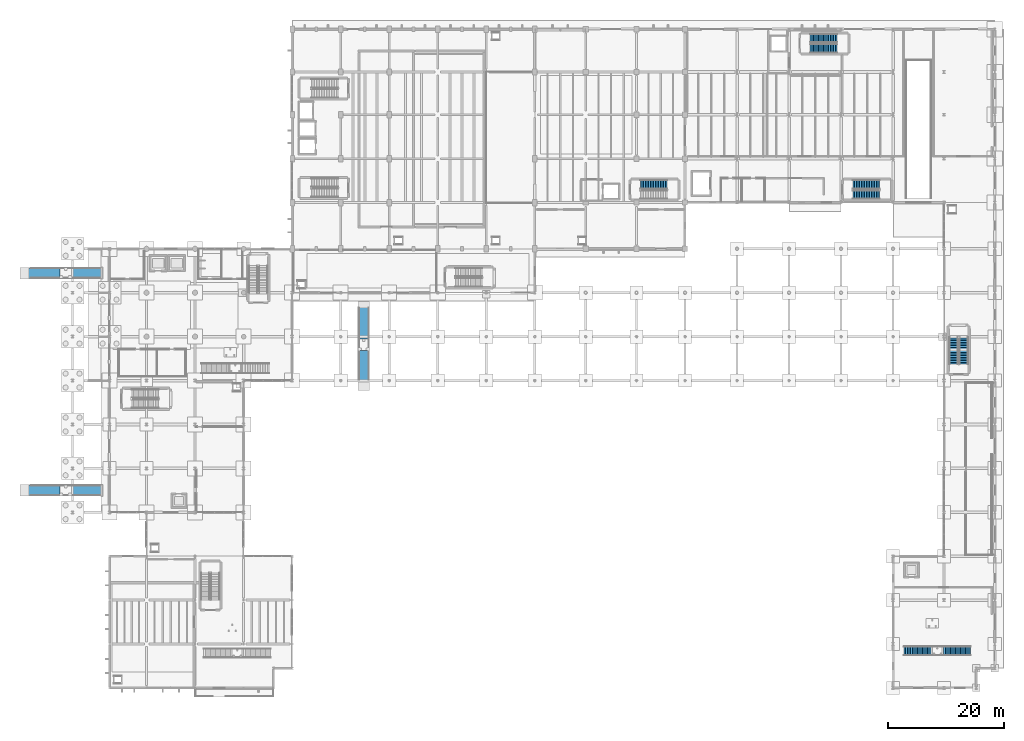
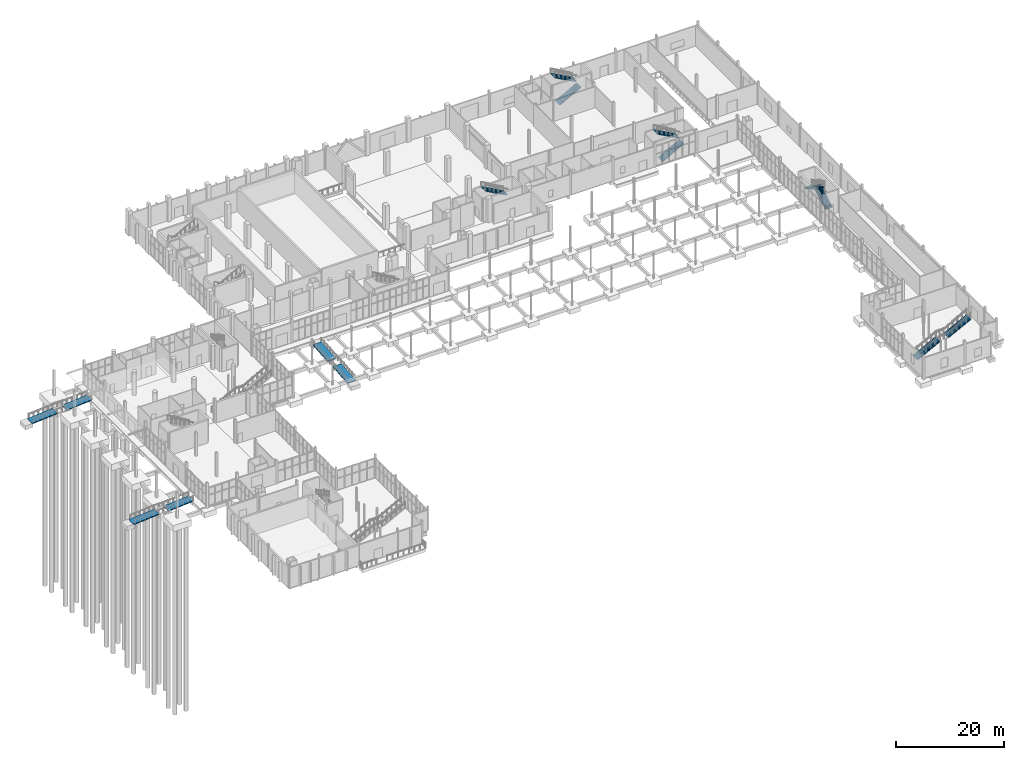
# One storey, part 82 of 95: 9 stair flights, 6 ramp flights, 8 elements without a shape of their own.
"""IFC4 building model written with IfcOpenShell, lengths in metres."""

from ifc_helpers import new_model, si_unit, direction, frame, origin, place, context, subcontext, project, spatial, polyline, outline, extrude, material, layer, layer_set, type_object, element, aggregate, save


model = new_model("IFC4")

# Units and contexts
model_context = context("Model", 3, precision=1e-05, world=origin(), true_north=direction((0.0, 1.0)))
body_context = subcontext(model_context, "Body", "Model", "MODEL_VIEW")
ifc_project = project(units=[si_unit("LENGTHUNIT", "METRE"), si_unit("AREAUNIT", "SQUARE_METRE"), si_unit("VOLUMEUNIT", "CUBIC_METRE"), si_unit("PLANEANGLEUNIT", "RADIAN"), si_unit("MASSUNIT", "GRAM", prefix="KILO")], contexts=[model_context])

# Site, building, storey
site_placement = place(None, origin())
site = spatial("IfcSite", under=ifc_project, at=site_placement, CompositionType="ELEMENT")
building_placement = place(site_placement, origin())
building = spatial("IfcBuilding", under=site, at=building_placement, Name="Shengluoqiao Park Theatre", CompositionType="ELEMENT")
storey_placement = place(building_placement, origin())
storey = spatial("IfcBuildingStorey", under=building, at=storey_placement, Name="L00", CompositionType="ELEMENT", Elevation=0.0)

# Stair, stair flight
ifc_material_1 = material(Name="Concrete C40", Category="concrete")
stair_type_1 = type_object("IfcStairType", Name="INT-STR-CORE", PredefinedType="HALF_TURN_STAIR", material=ifc_material_1)
stair_1_placement = place(storey_placement, origin())
stair_1 = element("IfcStair", 1, at=stair_1_placement, inside=storey, type_object=stair_type_1, Name="L00 Stage and Fly Tower Escape Stair 05", PredefinedType="HALF_TURN_STAIR")
ifc_layer_1 = layer(ifc_material_1, 0.159912109375, Name="Concrete C40")
ifc_layer_set_1 = layer_set([ifc_layer_1], Name="Concrete C40")
stair_flight_type_1 = type_object("IfcStairFlightType", Name="INT-SFL-156", PredefinedType="STRAIGHT", material=ifc_layer_set_1)
stair_flight_1_placement = place(storey_placement, frame((109.2900390625, 87.1201171875, 2.699951171875), z_axis=(0.0, 0.0, 1.0), x_axis=(-1.0, 0.0, 0.0)))
stair_flight_1 = element("IfcStairFlight", 2, at=stair_flight_1_placement, type_object=stair_flight_type_1, Name="ST-05 flight 2", NumberOfRisers=17, NumberOfTreads=16, PredefinedType="STRAIGHT", RiserHeight=0.158823529, TreadLength=0.29, context=body_context, shape_type="SweptSolid", body=[
    extrude(outline(polyline([(0.0, 0.0), (0.0, 0.158935546875), (0.2900390625, 0.158935546875), (0.2900390625, 0.317626953125), (0.580078125, 0.317626953125), (0.580078125, 0.4765625), (0.8701171875, 0.4765625), (0.8701171875, 0.63525390625), (1.159912109375, 0.63525390625), (1.159912109375, 0.794189453125), (1.449951171875, 0.794189453125), (1.449951171875, 0.952880859375), (1.739990234375, 0.952880859375), (1.739990234375, 1.11181640625), (2.030029296875, 1.11181640625), (2.030029296875, 1.2705078125), (2.320068359375, 1.2705078125), (2.320068359375, 1.429443359375), (2.610107421875, 1.429443359375), (2.610107421875, 1.588134765625), (2.89990234375, 1.588134765625), (2.89990234375, 1.7470703125), (3.18994140625, 1.7470703125), (3.18994140625, 1.90576171875), (3.47998046875, 1.90576171875), (3.47998046875, 2.064697265625), (3.77001953125, 2.064697265625), (3.77001953125, 2.2236328125), (4.06005859375, 2.2236328125), (4.06005859375, 2.38232421875), (4.35009765625, 2.38232421875), (4.35009765625, 2.541259765625), (4.639892578125, 2.541259765625), (4.639892578125, 2.699951171875), (4.639892578125, 2.370361328125), (0.31201171875, 0.0), (0.0, 0.0)])), frame((0.0, 0.780029296875, 0.0), z_axis=(0.0, -1.0, 0.0), x_axis=(1.0, 0.0, 0.0)), (0.0, 0.0, 1.0), 1.56005859375),
])
aggregate(stair_1, [stair_flight_1])

# Stair, stair flights
stair_2_placement = place(storey_placement, origin())
stair_2 = element("IfcStair", 3, at=stair_2_placement, inside=storey, type_object=stair_type_1, Name="L00 Backstage and Workshop Escape Stair 06", PredefinedType="HALF_TURN_STAIR")
stair_flight_2_placement = place(storey_placement, frame((134.050048828125, 110.679931640625, 0.0), z_axis=(0.0, 0.0, 1.0), x_axis=(1.0, 0.0, 0.0)))
stair_flight_2 = element("IfcStairFlight", 4, at=stair_flight_2_placement, type_object=stair_flight_type_1, Name="ST-06 flight 1", NumberOfRisers=17, NumberOfTreads=16, PredefinedType="STRAIGHT", RiserHeight=0.158823529, TreadLength=0.29, context=body_context, shape_type="SweptSolid", body=[
    extrude(outline(polyline([(0.0, 0.0), (0.0, 0.158935546875), (0.2900390625, 0.158935546875), (0.2900390625, 0.317626953125), (0.580078125, 0.317626953125), (0.580078125, 0.4765625), (0.8701171875, 0.4765625), (0.8701171875, 0.63525390625), (1.159912109375, 0.63525390625), (1.159912109375, 0.794189453125), (1.449951171875, 0.794189453125), (1.449951171875, 0.952880859375), (1.739990234375, 0.952880859375), (1.739990234375, 1.11181640625), (2.030029296875, 1.11181640625), (2.030029296875, 1.2705078125), (2.320068359375, 1.2705078125), (2.320068359375, 1.429443359375), (2.610107421875, 1.429443359375), (2.610107421875, 1.588134765625), (2.89990234375, 1.588134765625), (2.89990234375, 1.7470703125), (3.18994140625, 1.7470703125), (3.18994140625, 1.90576171875), (3.47998046875, 1.90576171875), (3.47998046875, 2.064697265625), (3.77001953125, 2.064697265625), (3.77001953125, 2.2236328125), (4.06005859375, 2.2236328125), (4.06005859375, 2.38232421875), (4.35009765625, 2.38232421875), (4.35009765625, 2.541259765625), (4.639892578125, 2.541259765625), (4.639892578125, 2.699951171875), (4.639892578125, 2.370361328125), (0.31201171875, 0.0), (0.0, 0.0)])), frame((0.0, 0.780029296875, 0.0), z_axis=(0.0, -1.0, 0.0), x_axis=(1.0, 0.0, 0.0)), (0.0, 0.0, 1.0), 1.56005859375),
])
stair_flight_3_placement = place(storey_placement, frame((138.68994140625, 112.419921875, 2.699951171875), z_axis=(0.0, 0.0, 1.0), x_axis=(-1.0, 0.0, 0.0)))
stair_flight_3 = element("IfcStairFlight", 5, at=stair_flight_3_placement, type_object=stair_flight_type_1, Name="ST-06 flight 2", NumberOfRisers=17, NumberOfTreads=16, PredefinedType="STRAIGHT", RiserHeight=0.158823529, TreadLength=0.29, context=body_context, shape_type="SweptSolid", body=[
    extrude(outline(polyline([(0.0, 0.0), (0.0, 0.158935546875), (0.2900390625, 0.158935546875), (0.2900390625, 0.317626953125), (0.580078125, 0.317626953125), (0.580078125, 0.4765625), (0.8701171875, 0.4765625), (0.8701171875, 0.63525390625), (1.159912109375, 0.63525390625), (1.159912109375, 0.794189453125), (1.449951171875, 0.794189453125), (1.449951171875, 0.952880859375), (1.739990234375, 0.952880859375), (1.739990234375, 1.11181640625), (2.030029296875, 1.11181640625), (2.030029296875, 1.2705078125), (2.320068359375, 1.2705078125), (2.320068359375, 1.429443359375), (2.610107421875, 1.429443359375), (2.610107421875, 1.588134765625), (2.89990234375, 1.588134765625), (2.89990234375, 1.7470703125), (3.18994140625, 1.7470703125), (3.18994140625, 1.90576171875), (3.47998046875, 1.90576171875), (3.47998046875, 2.064697265625), (3.77001953125, 2.064697265625), (3.77001953125, 2.2236328125), (4.06005859375, 2.2236328125), (4.06005859375, 2.38232421875), (4.35009765625, 2.38232421875), (4.35009765625, 2.541259765625), (4.639892578125, 2.541259765625), (4.639892578125, 2.699951171875), (4.639892578125, 2.370361328125), (0.31201171875, 0.0), (0.0, 0.0)])), frame((0.0, 0.780029296875, 0.0), z_axis=(0.0, -1.0, 0.0), x_axis=(1.0, 0.0, 0.0)), (0.0, 0.0, 1.0), 1.56005859375),
])
aggregate(stair_2, [stair_flight_2, stair_flight_3])

stair_3_placement = place(storey_placement, origin())
stair_3 = element("IfcStair", 6, at=stair_3_placement, inside=storey, type_object=stair_type_1, Name="L00 Upper Backstage Escape Stair 10", PredefinedType="HALF_TURN_STAIR")
stair_flight_4_placement = place(storey_placement, frame((141.449951171875, 85.3798828125, 0.0), z_axis=(0.0, 0.0, 1.0), x_axis=(1.0, 0.0, 0.0)))
stair_flight_4 = element("IfcStairFlight", 7, at=stair_flight_4_placement, type_object=stair_flight_type_1, Name="ST-10 flight 1", NumberOfRisers=17, NumberOfTreads=16, PredefinedType="STRAIGHT", RiserHeight=0.158823529, TreadLength=0.29, context=body_context, shape_type="SweptSolid", body=[
    extrude(outline(polyline([(0.0, 0.0), (0.0, 0.158935546875), (0.2900390625, 0.158935546875), (0.2900390625, 0.317626953125), (0.580078125, 0.317626953125), (0.580078125, 0.4765625), (0.8701171875, 0.4765625), (0.8701171875, 0.63525390625), (1.159912109375, 0.63525390625), (1.159912109375, 0.794189453125), (1.449951171875, 0.794189453125), (1.449951171875, 0.952880859375), (1.739990234375, 0.952880859375), (1.739990234375, 1.11181640625), (2.030029296875, 1.11181640625), (2.030029296875, 1.2705078125), (2.320068359375, 1.2705078125), (2.320068359375, 1.429443359375), (2.610107421875, 1.429443359375), (2.610107421875, 1.588134765625), (2.89990234375, 1.588134765625), (2.89990234375, 1.7470703125), (3.18994140625, 1.7470703125), (3.18994140625, 1.90576171875), (3.47998046875, 1.90576171875), (3.47998046875, 2.064697265625), (3.77001953125, 2.064697265625), (3.77001953125, 2.2236328125), (4.06005859375, 2.2236328125), (4.06005859375, 2.38232421875), (4.35009765625, 2.38232421875), (4.35009765625, 2.541259765625), (4.639892578125, 2.541259765625), (4.639892578125, 2.699951171875), (4.639892578125, 2.370361328125), (0.31201171875, 0.0), (0.0, 0.0)])), frame((0.0, 0.780029296875, 0.0), z_axis=(0.0, -1.0, 0.0), x_axis=(1.0, 0.0, 0.0)), (0.0, 0.0, 1.0), 1.56005859375),
])
stair_flight_5_placement = place(storey_placement, frame((146.090087890625, 87.1201171875, 2.699951171875), z_axis=(0.0, 0.0, 1.0), x_axis=(-1.0, 0.0, 0.0)))
stair_flight_5 = element("IfcStairFlight", 8, at=stair_flight_5_placement, type_object=stair_flight_type_1, Name="ST-10 flight 2", NumberOfRisers=17, NumberOfTreads=16, PredefinedType="STRAIGHT", RiserHeight=0.158823529, TreadLength=0.29, context=body_context, shape_type="SweptSolid", body=[
    extrude(outline(polyline([(0.0, 0.0), (0.0, 0.158935546875), (0.2900390625, 0.158935546875), (0.2900390625, 0.317626953125), (0.580078125, 0.317626953125), (0.580078125, 0.4765625), (0.8701171875, 0.4765625), (0.8701171875, 0.63525390625), (1.159912109375, 0.63525390625), (1.159912109375, 0.794189453125), (1.449951171875, 0.794189453125), (1.449951171875, 0.952880859375), (1.739990234375, 0.952880859375), (1.739990234375, 1.11181640625), (2.030029296875, 1.11181640625), (2.030029296875, 1.2705078125), (2.320068359375, 1.2705078125), (2.320068359375, 1.429443359375), (2.610107421875, 1.429443359375), (2.610107421875, 1.588134765625), (2.89990234375, 1.588134765625), (2.89990234375, 1.7470703125), (3.18994140625, 1.7470703125), (3.18994140625, 1.90576171875), (3.47998046875, 1.90576171875), (3.47998046875, 2.064697265625), (3.77001953125, 2.064697265625), (3.77001953125, 2.2236328125), (4.06005859375, 2.2236328125), (4.06005859375, 2.38232421875), (4.35009765625, 2.38232421875), (4.35009765625, 2.541259765625), (4.639892578125, 2.541259765625), (4.639892578125, 2.699951171875), (4.639892578125, 2.370361328125), (0.31201171875, 0.0), (0.0, 0.0)])), frame((0.0, 0.780029296875, 0.0), z_axis=(0.0, -1.0, 0.0), x_axis=(1.0, 0.0, 0.0)), (0.0, 0.0, 1.0), 1.56005859375),
])
aggregate(stair_3, [stair_flight_4, stair_flight_5])

stair_4_placement = place(storey_placement, origin())
stair_4 = element("IfcStair", 9, at=stair_4_placement, inside=storey, type_object=stair_type_1, Name="L00 East Artist Wing Escape Stair 12", PredefinedType="HALF_TURN_STAIR")
stair_flight_6_placement = place(storey_placement, frame((160.6201171875, 56.050048828125, 0.0), z_axis=(0.0, 0.0, 1.0), x_axis=(0.0, 1.0, 0.0)))
stair_flight_6 = element("IfcStairFlight", 10, at=stair_flight_6_placement, type_object=stair_flight_type_1, Name="ST-12 flight 1", NumberOfRisers=17, NumberOfTreads=16, PredefinedType="STRAIGHT", RiserHeight=0.158823529, TreadLength=0.29, context=body_context, shape_type="SweptSolid", body=[
    extrude(outline(polyline([(0.0, 0.0), (0.0, 0.158935546875), (0.2900390625, 0.158935546875), (0.2900390625, 0.317626953125), (0.580078125, 0.317626953125), (0.580078125, 0.4765625), (0.8701171875, 0.4765625), (0.8701171875, 0.63525390625), (1.159912109375, 0.63525390625), (1.159912109375, 0.794189453125), (1.449951171875, 0.794189453125), (1.449951171875, 0.952880859375), (1.739990234375, 0.952880859375), (1.739990234375, 1.11181640625), (2.030029296875, 1.11181640625), (2.030029296875, 1.2705078125), (2.320068359375, 1.2705078125), (2.320068359375, 1.429443359375), (2.610107421875, 1.429443359375), (2.610107421875, 1.588134765625), (2.89990234375, 1.588134765625), (2.89990234375, 1.7470703125), (3.18994140625, 1.7470703125), (3.18994140625, 1.90576171875), (3.47998046875, 1.90576171875), (3.47998046875, 2.064697265625), (3.77001953125, 2.064697265625), (3.77001953125, 2.2236328125), (4.06005859375, 2.2236328125), (4.06005859375, 2.38232421875), (4.35009765625, 2.38232421875), (4.35009765625, 2.541259765625), (4.639892578125, 2.541259765625), (4.639892578125, 2.699951171875), (4.639892578125, 2.370361328125), (0.31201171875, 0.0), (0.0, 0.0)])), frame((0.0, 0.780029296875, 0.0), z_axis=(0.0, -1.0, 0.0), x_axis=(1.0, 0.0, 0.0)), (0.0, 0.0, 1.0), 1.56005859375),
])
stair_flight_7_placement = place(storey_placement, frame((158.8798828125, 60.68994140625, 2.699951171875), z_axis=(0.0, 0.0, 1.0), x_axis=(0.0, -1.0, 0.0)))
stair_flight_7 = element("IfcStairFlight", 11, at=stair_flight_7_placement, type_object=stair_flight_type_1, Name="ST-12 flight 2", NumberOfRisers=17, NumberOfTreads=16, PredefinedType="STRAIGHT", RiserHeight=0.158823529, TreadLength=0.29, context=body_context, shape_type="SweptSolid", body=[
    extrude(outline(polyline([(0.0, 0.0), (0.0, 0.158935546875), (0.2900390625, 0.158935546875), (0.2900390625, 0.317626953125), (0.580078125, 0.317626953125), (0.580078125, 0.4765625), (0.8701171875, 0.4765625), (0.8701171875, 0.63525390625), (1.159912109375, 0.63525390625), (1.159912109375, 0.794189453125), (1.449951171875, 0.794189453125), (1.449951171875, 0.952880859375), (1.739990234375, 0.952880859375), (1.739990234375, 1.11181640625), (2.030029296875, 1.11181640625), (2.030029296875, 1.2705078125), (2.320068359375, 1.2705078125), (2.320068359375, 1.429443359375), (2.610107421875, 1.429443359375), (2.610107421875, 1.588134765625), (2.89990234375, 1.588134765625), (2.89990234375, 1.7470703125), (3.18994140625, 1.7470703125), (3.18994140625, 1.90576171875), (3.47998046875, 1.90576171875), (3.47998046875, 2.064697265625), (3.77001953125, 2.064697265625), (3.77001953125, 2.2236328125), (4.06005859375, 2.2236328125), (4.06005859375, 2.38232421875), (4.35009765625, 2.38232421875), (4.35009765625, 2.541259765625), (4.639892578125, 2.541259765625), (4.639892578125, 2.699951171875), (4.639892578125, 2.370361328125), (0.31201171875, 0.0), (0.0, 0.0)])), frame((0.0, 0.780029296875, 0.0), z_axis=(0.0, -1.0, 0.0), x_axis=(1.0, 0.0, 0.0)), (0.0, 0.0, 1.0), 1.56005859375),
])
aggregate(stair_4, [stair_flight_6, stair_flight_7])

ifc_material_2 = material(Name="Steel Q355", Category="steel")
stair_type_2 = type_object("IfcStairType", Name="INT-STR-ST-F160", PredefinedType="STRAIGHT_RUN_STAIR", material=ifc_material_2)
stair_5_placement = place(storey_placement, origin())
stair_5 = element("IfcStair", 12, at=stair_5_placement, inside=storey, type_object=stair_type_2, Name="East Artist Wing Stair 09", PredefinedType="STRAIGHT_RUN_STAIR")
ifc_layer_2 = layer(ifc_material_2, 0.159912109375, Name="Steel Q355")
ifc_layer_set_2 = layer_set([ifc_layer_2], Name="Steel Q355")
stair_flight_type_2 = type_object("IfcStairFlightType", Name="INT-SFL-160", PredefinedType="STRAIGHT", material=ifc_layer_set_2)
stair_flight_8_placement = place(storey_placement, frame((150.300048828125, 6.39990234375, 0.0), z_axis=(0.0, 0.0, 1.0), x_axis=(1.0, 0.0, 0.0)))
stair_flight_8 = element("IfcStairFlight", 13, at=stair_flight_8_placement, type_object=stair_flight_type_2, Name="ST-09 flight 1", NumberOfRisers=18, NumberOfTreads=17, PredefinedType="STRAIGHT", RiserHeight=0.15, TreadLength=0.29, context=body_context, shape_type="SweptSolid", body=[
    extrude(outline(polyline([(0.0, 0.0), (0.0, 0.14990234375), (0.2900390625, 0.14990234375), (0.2900390625, 0.300048828125), (0.580078125, 0.300048828125), (0.580078125, 0.449951171875), (0.8701171875, 0.449951171875), (0.8701171875, 0.60009765625), (1.159912109375, 0.60009765625), (1.159912109375, 0.75), (1.449951171875, 0.75), (1.449951171875, 0.89990234375), (1.739990234375, 0.89990234375), (1.739990234375, 1.050048828125), (2.030029296875, 1.050048828125), (2.030029296875, 1.199951171875), (2.320068359375, 1.199951171875), (2.320068359375, 1.35009765625), (2.610107421875, 1.35009765625), (2.610107421875, 1.5), (2.89990234375, 1.5), (2.89990234375, 1.64990234375), (3.18994140625, 1.64990234375), (3.18994140625, 1.800048828125), (3.47998046875, 1.800048828125), (3.47998046875, 1.949951171875), (3.77001953125, 1.949951171875), (3.77001953125, 2.10009765625), (4.06005859375, 2.10009765625), (4.06005859375, 2.25), (4.35009765625, 2.25), (4.35009765625, 2.39990234375), (4.639892578125, 2.39990234375), (4.639892578125, 2.550048828125), (4.929931640625, 2.550048828125), (4.929931640625, 2.699951171875), (4.929931640625, 2.358642578125), (0.369873046875, 0.0), (0.0, 0.0)])), frame((0.0, 0.800048828125, 0.0), z_axis=(0.0, -1.0, 0.0), x_axis=(1.0, 0.0, 0.0)), (0.0, 0.0, 1.0), 1.60009765625),
])
stair_flight_9_placement = place(storey_placement, frame((156.8798828125, 6.39990234375, 2.699951171875), z_axis=(0.0, 0.0, 1.0), x_axis=(1.0, 0.0, 0.0)))
stair_flight_9 = element("IfcStairFlight", 14, at=stair_flight_9_placement, type_object=stair_flight_type_2, Name="ST-09 flight 2", NumberOfRisers=18, NumberOfTreads=17, PredefinedType="STRAIGHT", RiserHeight=0.15, TreadLength=0.29, context=body_context, shape_type="SweptSolid", body=[
    extrude(outline(polyline([(0.0, 0.0), (0.0, 0.14990234375), (0.2900390625, 0.14990234375), (0.2900390625, 0.300048828125), (0.580078125, 0.300048828125), (0.580078125, 0.449951171875), (0.8701171875, 0.449951171875), (0.8701171875, 0.60009765625), (1.159912109375, 0.60009765625), (1.159912109375, 0.75), (1.449951171875, 0.75), (1.449951171875, 0.89990234375), (1.739990234375, 0.89990234375), (1.739990234375, 1.050048828125), (2.030029296875, 1.050048828125), (2.030029296875, 1.199951171875), (2.320068359375, 1.199951171875), (2.320068359375, 1.35009765625), (2.610107421875, 1.35009765625), (2.610107421875, 1.5), (2.89990234375, 1.5), (2.89990234375, 1.64990234375), (3.18994140625, 1.64990234375), (3.18994140625, 1.800048828125), (3.47998046875, 1.800048828125), (3.47998046875, 1.949951171875), (3.77001953125, 1.949951171875), (3.77001953125, 2.10009765625), (4.06005859375, 2.10009765625), (4.06005859375, 2.25), (4.35009765625, 2.25), (4.35009765625, 2.39990234375), (4.639892578125, 2.39990234375), (4.639892578125, 2.550048828125), (4.929931640625, 2.550048828125), (4.929931640625, 2.699951171875), (4.929931640625, 2.358642578125), (0.369873046875, 0.0), (0.0, 0.0)])), frame((0.0, 0.800048828125, 0.0), z_axis=(0.0, -1.0, 0.0), x_axis=(1.0, 0.0, 0.0)), (0.0, 0.0, 1.0), 1.60009765625),
])
aggregate(stair_5, [stair_flight_8, stair_flight_9])

# Ramp, ramp flights
ramp_type = type_object("IfcRampType", Name="ENV-RMP-PED", PredefinedType="TWO_STRAIGHT_RUN_RAMP", material=ifc_material_1)
ramp_1_placement = place(storey_placement, origin())
ramp_1 = element("IfcRamp", 15, at=ramp_1_placement, inside=storey, type_object=ramp_type, Name="West Forecourt Wheelchair Ramp 01", PredefinedType="TWO_STRAIGHT_RUN_RAMP")
ifc_layer_3 = layer(ifc_material_1, 0.219970703125, Name="Concrete C40")
ifc_layer_set_3 = layer_set([ifc_layer_3], Name="Concrete C40")
ramp_flight_type = type_object("IfcRampFlightType", Name="ENV-RMF-180", PredefinedType="STRAIGHT", material=ifc_layer_set_3)
ramp_flight_1_placement = place(storey_placement, frame((-1.199951171875, 71.800048828125, -0.89990234375), z_axis=(0.0, 0.0, 1.0), x_axis=(1.0, 0.0, 0.0)))
ramp_flight_1 = element("IfcRampFlight", 16, at=ramp_flight_1_placement, type_object=ramp_flight_type, Name="RMP-01 Lower Flight", PredefinedType="STRAIGHT", context=body_context, shape_type="SweptSolid", body=[
    extrude(outline(polyline([(0.0, 0.0), (5.39990234375, 0.449951171875), (5.39990234375, 0.22998046875), (0.0, -0.219970703125), (0.0, 0.0)])), frame((0.0, 0.89990234375, 0.0), z_axis=(0.0, -1.0, 0.0), x_axis=(1.0, 0.0, 0.0)), (0.0, 0.0, 1.0), 1.800048828125),
])
ramp_flight_2_placement = place(storey_placement, frame((6.199951171875, 71.800048828125, -0.449951171875), z_axis=(0.0, 0.0, 1.0), x_axis=(1.0, 0.0, 0.0)))
ramp_flight_2 = element("IfcRampFlight", 17, at=ramp_flight_2_placement, type_object=ramp_flight_type, Name="RMP-01 Upper Flight", PredefinedType="STRAIGHT", context=body_context, shape_type="SweptSolid", body=[
    extrude(outline(polyline([(0.0, 0.0), (5.39990234375, 0.449951171875), (5.39990234375, 0.22998046875), (0.0, -0.219970703125), (0.0, 0.0)])), frame((0.0, 0.89990234375, 0.0), z_axis=(0.0, -1.0, 0.0), x_axis=(1.0, 0.0, 0.0)), (0.0, 0.0, 1.0), 1.800048828125),
])
aggregate(ramp_1, [ramp_flight_1, ramp_flight_2])

ramp_2_placement = place(storey_placement, origin())
ramp_2 = element("IfcRamp", 18, at=ramp_2_placement, inside=storey, type_object=ramp_type, Name="Studio Forecourt Wheelchair Ramp 02", PredefinedType="TWO_STRAIGHT_RUN_RAMP")
ramp_flight_3_placement = place(storey_placement, frame((-1.199951171875, 34.199951171875, -0.89990234375), z_axis=(0.0, 0.0, 1.0), x_axis=(1.0, 0.0, 0.0)))
ramp_flight_3 = element("IfcRampFlight", 19, at=ramp_flight_3_placement, type_object=ramp_flight_type, Name="RMP-02 Lower Flight", PredefinedType="STRAIGHT", context=body_context, shape_type="SweptSolid", body=[
    extrude(outline(polyline([(0.0, 0.0), (5.39990234375, 0.449951171875), (5.39990234375, 0.22998046875), (0.0, -0.219970703125), (0.0, 0.0)])), frame((0.0, 0.89990234375, 0.0), z_axis=(0.0, -1.0, 0.0), x_axis=(1.0, 0.0, 0.0)), (0.0, 0.0, 1.0), 1.800048828125),
])
ramp_flight_4_placement = place(storey_placement, frame((6.199951171875, 34.199951171875, -0.449951171875), z_axis=(0.0, 0.0, 1.0), x_axis=(1.0, 0.0, 0.0)))
ramp_flight_4 = element("IfcRampFlight", 20, at=ramp_flight_4_placement, type_object=ramp_flight_type, Name="RMP-02 Upper Flight", PredefinedType="STRAIGHT", context=body_context, shape_type="SweptSolid", body=[
    extrude(outline(polyline([(0.0, 0.0), (5.39990234375, 0.449951171875), (5.39990234375, 0.22998046875), (0.0, -0.219970703125), (0.0, 0.0)])), frame((0.0, 0.89990234375, 0.0), z_axis=(0.0, -1.0, 0.0), x_axis=(1.0, 0.0, 0.0)), (0.0, 0.0, 1.0), 1.800048828125),
])
aggregate(ramp_2, [ramp_flight_3, ramp_flight_4])

ramp_3_placement = place(storey_placement, origin())
ramp_3 = element("IfcRamp", 21, at=ramp_3_placement, inside=storey, type_object=ramp_type, Name="South Garden Court Wheelchair Ramp 03", PredefinedType="TWO_STRAIGHT_RUN_RAMP")
ramp_flight_5_placement = place(storey_placement, frame((56.800048828125, 53.0, -0.89990234375), z_axis=(0.0, 0.0, 1.0), x_axis=(0.0, 1.0, 0.0)))
ramp_flight_5 = element("IfcRampFlight", 22, at=ramp_flight_5_placement, type_object=ramp_flight_type, Name="RMP-03 Lower Flight", PredefinedType="STRAIGHT", context=body_context, shape_type="SweptSolid", body=[
    extrude(outline(polyline([(0.0, 0.0), (5.39990234375, 0.449951171875), (5.39990234375, 0.22998046875), (0.0, -0.219970703125), (0.0, 0.0)])), frame((0.0, 0.89990234375, 0.0), z_axis=(0.0, -1.0, 0.0), x_axis=(1.0, 0.0, 0.0)), (0.0, 0.0, 1.0), 1.800048828125),
])
ramp_flight_6_placement = place(storey_placement, frame((56.800048828125, 60.39990234375, -0.449951171875), z_axis=(0.0, 0.0, 1.0), x_axis=(0.0, 1.0, 0.0)))
ramp_flight_6 = element("IfcRampFlight", 23, at=ramp_flight_6_placement, type_object=ramp_flight_type, Name="RMP-03 Upper Flight", PredefinedType="STRAIGHT", context=body_context, shape_type="SweptSolid", body=[
    extrude(outline(polyline([(0.0, 0.0), (5.39990234375, 0.449951171875), (5.39990234375, 0.22998046875), (0.0, -0.219970703125), (0.0, 0.0)])), frame((0.0, 0.89990234375, 0.0), z_axis=(0.0, -1.0, 0.0), x_axis=(1.0, 0.0, 0.0)), (0.0, 0.0, 1.0), 1.800048828125),
])
aggregate(ramp_3, [ramp_flight_5, ramp_flight_6])

save(model, "model.ifc")
